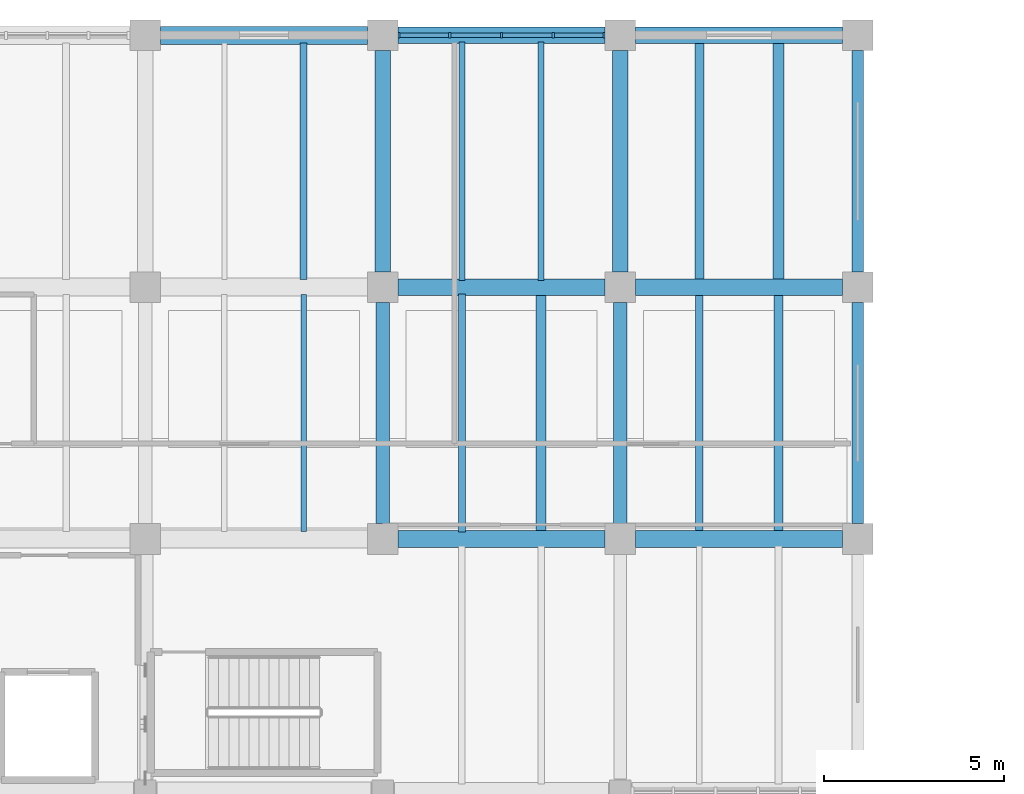
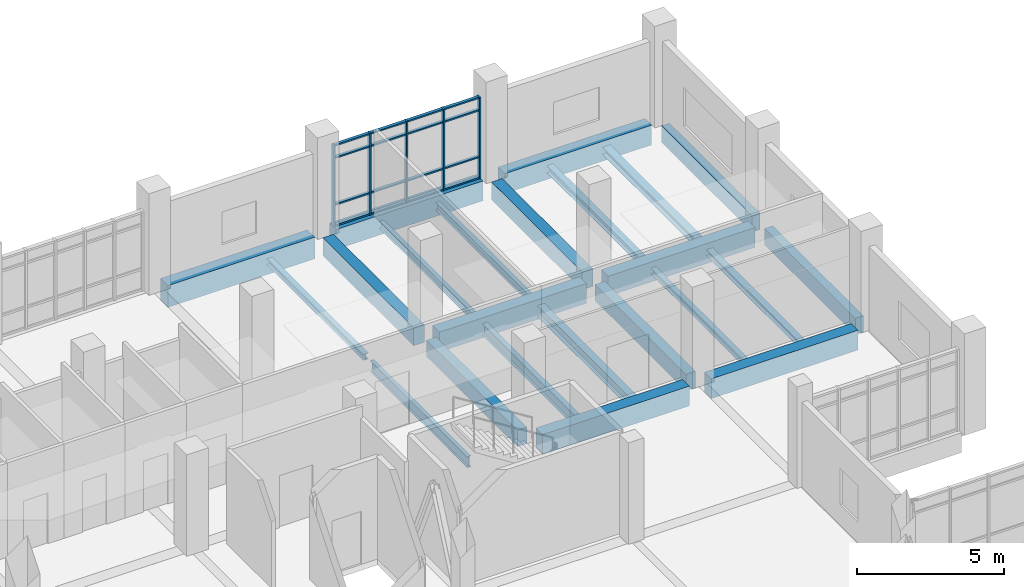
# One storey, part 31 of 68: 23 beams, 21 members, 1 element without a shape of its own.
"""IFC4 building model written with IfcOpenShell, lengths in metres."""

from ifc_helpers import new_model, si_unit, direction, frame, origin, origin_2d, place, context, subcontext, project, spatial, rectangle, i_section, extrude, material, material_profile, profile_set, type_object, element, aggregate, save


model = new_model("IFC4")

# Units and contexts
model_context = context("Model", 3, precision=1e-05, world=origin(), true_north=direction((0.0, 1.0)))
body_context = subcontext(model_context, "Body", "Model", "MODEL_VIEW")
ifc_project = project(units=[si_unit("LENGTHUNIT", "METRE"), si_unit("AREAUNIT", "SQUARE_METRE"), si_unit("VOLUMEUNIT", "CUBIC_METRE"), si_unit("PLANEANGLEUNIT", "RADIAN"), si_unit("MASSUNIT", "GRAM", prefix="KILO")], contexts=[model_context])

# Site, building, storey
site_placement = place(None, origin())
site = spatial("IfcSite", under=ifc_project, at=site_placement, CompositionType="ELEMENT")
building_placement = place(site_placement, origin())
building = spatial("IfcBuilding", under=site, at=building_placement, Name="Ciguamira Faculty of Natural Sciences", CompositionType="ELEMENT")
storey_placement = place(building_placement, frame((0.0, 0.0, 4.199951171875)))
storey = spatial("IfcBuildingStorey", under=building, at=storey_placement, Name="L01", CompositionType="ELEMENT", Elevation=4.199951171875)

# Curtain wall, members
ifc_material_1 = material(Name="Anodized aluminium curtain wall", Category="aluminium")
curtain_wall_type = type_object("IfcCurtainWallType", Name="CurtainWall_CW-01", PredefinedType="USERDEFINED", material=ifc_material_1)
curtain_wall_placement = place(storey_placement, origin())
curtain_wall = element("IfcCurtainWall", 1, at=curtain_wall_placement, inside=storey, type_object=curtain_wall_type, Name="L01 unitised curtain wall 0049", ObjectType="UNITISED CURTAIN WALL", PredefinedType="USERDEFINED")
ifc_material_2 = material(Name="Anodized aluminium mullion", Category="aluminium")
ifc_material_profile_1 = material_profile(ifc_material_2, rectangle(XDim=0.06005859375, YDim=0.159912109375, at=origin_2d()), Name="ALU-MUL-60X160")
ifc_profile_set_1 = profile_set([ifc_material_profile_1], Name="Anodized aluminium mullion")
member_type_1 = type_object("IfcMemberType", Name="CWMullion_CWM-01", PredefinedType="MULLION", material=ifc_profile_set_1)
member_1_placement = place(storey_placement, frame((103.955078125, 115.0, 0.0), z_axis=(0.0, 0.0, 1.0), x_axis=(1.0, 0.0, 0.0)))
member_1 = element("IfcMember", 2, at=member_1_placement, type_object=member_type_1, Name="CW-01 mullion 1", PredefinedType="MULLION", context=body_context, shape_type="SweptSolid", body=[
    extrude(rectangle(XDim=0.06005859375, YDim=0.159912109375, at=origin_2d()), origin(), (0.0, 0.0, 1.0), 3.385009765625),
])
member_2_placement = place(storey_placement, frame((105.362548828125, 115.0, 0.0), z_axis=(0.0, 0.0, 1.0), x_axis=(1.0, 0.0, 0.0)))
member_2 = element("IfcMember", 3, at=member_2_placement, type_object=member_type_1, Name="CW-01 mullion 2", PredefinedType="MULLION", context=body_context, shape_type="SweptSolid", body=[
    extrude(rectangle(XDim=0.06005859375, YDim=0.159912109375, at=origin_2d()), origin(), (0.0, 0.0, 1.0), 3.385009765625),
])
member_3_placement = place(storey_placement, frame((106.800048828125, 115.0, 0.0), z_axis=(0.0, 0.0, 1.0), x_axis=(1.0, 0.0, 0.0)))
member_3 = element("IfcMember", 4, at=member_3_placement, type_object=member_type_1, Name="CW-01 mullion 3", PredefinedType="MULLION", context=body_context, shape_type="SweptSolid", body=[
    extrude(rectangle(XDim=0.06005859375, YDim=0.159912109375, at=origin_2d()), origin(), (0.0, 0.0, 1.0), 3.385009765625),
])
member_4_placement = place(storey_placement, frame((108.237548828125, 115.0, 0.0), z_axis=(0.0, 0.0, 1.0), x_axis=(1.0, 0.0, 0.0)))
member_4 = element("IfcMember", 5, at=member_4_placement, type_object=member_type_1, Name="CW-01 mullion 4", PredefinedType="MULLION", context=body_context, shape_type="SweptSolid", body=[
    extrude(rectangle(XDim=0.06005859375, YDim=0.159912109375, at=origin_2d()), origin(), (0.0, 0.0, 1.0), 3.385009765625),
])
member_5_placement = place(storey_placement, frame((109.64501953125, 115.0, 0.0), z_axis=(0.0, 0.0, 1.0), x_axis=(1.0, 0.0, 0.0)))
member_5 = element("IfcMember", 6, at=member_5_placement, type_object=member_type_1, Name="CW-01 mullion 5", PredefinedType="MULLION", context=body_context, shape_type="SweptSolid", body=[
    extrude(rectangle(XDim=0.06005859375, YDim=0.159912109375, at=origin_2d()), origin(), (0.0, 0.0, 1.0), 3.385009765625),
])
ifc_material_3 = material(Name="Anodized aluminium transom", Category="aluminium")
ifc_material_profile_2 = material_profile(ifc_material_3, rectangle(XDim=0.06005859375, YDim=0.1201171875, at=origin_2d()), Name="ALU-TRN-60X120")
ifc_profile_set_2 = profile_set([ifc_material_profile_2], Name="Anodized aluminium transom")
member_type_2 = type_object("IfcMemberType", Name="CWTransom_CWT-01", PredefinedType="USERDEFINED", material=ifc_profile_set_2)
member_6_placement = place(storey_placement, frame((103.985107421875, 115.0, 0.030029296875), z_axis=(1.0, 0.0, 0.0), x_axis=(0.0, 0.0, 1.0)))
member_6 = element("IfcMember", 7, at=member_6_placement, type_object=member_type_2, Name="CW-01 transom 1.1", ObjectType="TRANSOM", PredefinedType="USERDEFINED", context=body_context, shape_type="SweptSolid", body=[
    extrude(rectangle(XDim=0.06005859375, YDim=0.1201171875, at=origin_2d()), origin(), (0.0, 0.0, 1.0), 1.347412109375),
])
member_7_placement = place(storey_placement, frame((103.985107421875, 115.0, 0.900146484375), z_axis=(1.0, 0.0, 0.0), x_axis=(0.0, 0.0, 1.0)))
member_7 = element("IfcMember", 8, at=member_7_placement, type_object=member_type_2, Name="CW-01 transom 1.2", ObjectType="TRANSOM", PredefinedType="USERDEFINED", context=body_context, shape_type="SweptSolid", body=[
    extrude(rectangle(XDim=0.06005859375, YDim=0.1201171875, at=origin_2d()), origin(), (0.0, 0.0, 1.0), 1.347412109375),
])
member_8_placement = place(storey_placement, frame((103.985107421875, 115.0, 2.8349609375), z_axis=(1.0, 0.0, 0.0), x_axis=(0.0, 0.0, 1.0)))
member_8 = element("IfcMember", 9, at=member_8_placement, type_object=member_type_2, Name="CW-01 transom 1.3", ObjectType="TRANSOM", PredefinedType="USERDEFINED", context=body_context, shape_type="SweptSolid", body=[
    extrude(rectangle(XDim=0.06005859375, YDim=0.1201171875, at=origin_2d()), origin(), (0.0, 0.0, 1.0), 1.347412109375),
])
member_9_placement = place(storey_placement, frame((103.985107421875, 115.0, 3.35498046875), z_axis=(1.0, 0.0, 0.0), x_axis=(0.0, 0.0, 1.0)))
member_9 = element("IfcMember", 10, at=member_9_placement, type_object=member_type_2, Name="CW-01 transom 1.4", ObjectType="TRANSOM", PredefinedType="USERDEFINED", context=body_context, shape_type="SweptSolid", body=[
    extrude(rectangle(XDim=0.06005859375, YDim=0.1201171875, at=origin_2d()), origin(), (0.0, 0.0, 1.0), 1.347412109375),
])
member_10_placement = place(storey_placement, frame((105.392578125, 115.0, 0.030029296875), z_axis=(1.0, 0.0, 0.0), x_axis=(0.0, 0.0, 1.0)))
member_10 = element("IfcMember", 11, at=member_10_placement, type_object=member_type_2, Name="CW-01 transom 2.1", ObjectType="TRANSOM", PredefinedType="USERDEFINED", context=body_context, shape_type="SweptSolid", body=[
    extrude(rectangle(XDim=0.06005859375, YDim=0.1201171875, at=origin_2d()), origin(), (0.0, 0.0, 1.0), 1.37744140625),
])
member_11_placement = place(storey_placement, frame((105.392578125, 115.0, 0.900146484375), z_axis=(1.0, 0.0, 0.0), x_axis=(0.0, 0.0, 1.0)))
member_11 = element("IfcMember", 12, at=member_11_placement, type_object=member_type_2, Name="CW-01 transom 2.2", ObjectType="TRANSOM", PredefinedType="USERDEFINED", context=body_context, shape_type="SweptSolid", body=[
    extrude(rectangle(XDim=0.06005859375, YDim=0.1201171875, at=origin_2d()), origin(), (0.0, 0.0, 1.0), 1.37744140625),
])
member_12_placement = place(storey_placement, frame((105.392578125, 115.0, 2.8349609375), z_axis=(1.0, 0.0, 0.0), x_axis=(0.0, 0.0, 1.0)))
member_12 = element("IfcMember", 13, at=member_12_placement, type_object=member_type_2, Name="CW-01 transom 2.3", ObjectType="TRANSOM", PredefinedType="USERDEFINED", context=body_context, shape_type="SweptSolid", body=[
    extrude(rectangle(XDim=0.06005859375, YDim=0.1201171875, at=origin_2d()), origin(), (0.0, 0.0, 1.0), 1.37744140625),
])
member_13_placement = place(storey_placement, frame((105.392578125, 115.0, 3.35498046875), z_axis=(1.0, 0.0, 0.0), x_axis=(0.0, 0.0, 1.0)))
member_13 = element("IfcMember", 14, at=member_13_placement, type_object=member_type_2, Name="CW-01 transom 2.4", ObjectType="TRANSOM", PredefinedType="USERDEFINED", context=body_context, shape_type="SweptSolid", body=[
    extrude(rectangle(XDim=0.06005859375, YDim=0.1201171875, at=origin_2d()), origin(), (0.0, 0.0, 1.0), 1.37744140625),
])
member_14_placement = place(storey_placement, frame((106.830078125, 115.0, 0.030029296875), z_axis=(1.0, 0.0, 0.0), x_axis=(0.0, 0.0, 1.0)))
member_14 = element("IfcMember", 15, at=member_14_placement, type_object=member_type_2, Name="CW-01 transom 3.1", ObjectType="TRANSOM", PredefinedType="USERDEFINED", context=body_context, shape_type="SweptSolid", body=[
    extrude(rectangle(XDim=0.06005859375, YDim=0.1201171875, at=origin_2d()), origin(), (0.0, 0.0, 1.0), 1.37744140625),
])
member_15_placement = place(storey_placement, frame((106.830078125, 115.0, 0.900146484375), z_axis=(1.0, 0.0, 0.0), x_axis=(0.0, 0.0, 1.0)))
member_15 = element("IfcMember", 16, at=member_15_placement, type_object=member_type_2, Name="CW-01 transom 3.2", ObjectType="TRANSOM", PredefinedType="USERDEFINED", context=body_context, shape_type="SweptSolid", body=[
    extrude(rectangle(XDim=0.06005859375, YDim=0.1201171875, at=origin_2d()), origin(), (0.0, 0.0, 1.0), 1.37744140625),
])
member_16_placement = place(storey_placement, frame((106.830078125, 115.0, 2.8349609375), z_axis=(1.0, 0.0, 0.0), x_axis=(0.0, 0.0, 1.0)))
member_16 = element("IfcMember", 17, at=member_16_placement, type_object=member_type_2, Name="CW-01 transom 3.3", ObjectType="TRANSOM", PredefinedType="USERDEFINED", context=body_context, shape_type="SweptSolid", body=[
    extrude(rectangle(XDim=0.06005859375, YDim=0.1201171875, at=origin_2d()), origin(), (0.0, 0.0, 1.0), 1.37744140625),
])
member_17_placement = place(storey_placement, frame((106.830078125, 115.0, 3.35498046875), z_axis=(1.0, 0.0, 0.0), x_axis=(0.0, 0.0, 1.0)))
member_17 = element("IfcMember", 18, at=member_17_placement, type_object=member_type_2, Name="CW-01 transom 3.4", ObjectType="TRANSOM", PredefinedType="USERDEFINED", context=body_context, shape_type="SweptSolid", body=[
    extrude(rectangle(XDim=0.06005859375, YDim=0.1201171875, at=origin_2d()), origin(), (0.0, 0.0, 1.0), 1.37744140625),
])
member_18_placement = place(storey_placement, frame((108.267578125, 115.0, 0.030029296875), z_axis=(1.0, 0.0, 0.0), x_axis=(0.0, 0.0, 1.0)))
member_18 = element("IfcMember", 19, at=member_18_placement, type_object=member_type_2, Name="CW-01 transom 4.1", ObjectType="TRANSOM", PredefinedType="USERDEFINED", context=body_context, shape_type="SweptSolid", body=[
    extrude(rectangle(XDim=0.06005859375, YDim=0.1201171875, at=origin_2d()), origin(), (0.0, 0.0, 1.0), 1.347412109375),
])
member_19_placement = place(storey_placement, frame((108.267578125, 115.0, 0.900146484375), z_axis=(1.0, 0.0, 0.0), x_axis=(0.0, 0.0, 1.0)))
member_19 = element("IfcMember", 20, at=member_19_placement, type_object=member_type_2, Name="CW-01 transom 4.2", ObjectType="TRANSOM", PredefinedType="USERDEFINED", context=body_context, shape_type="SweptSolid", body=[
    extrude(rectangle(XDim=0.06005859375, YDim=0.1201171875, at=origin_2d()), origin(), (0.0, 0.0, 1.0), 1.347412109375),
])
member_20_placement = place(storey_placement, frame((108.267578125, 115.0, 2.8349609375), z_axis=(1.0, 0.0, 0.0), x_axis=(0.0, 0.0, 1.0)))
member_20 = element("IfcMember", 21, at=member_20_placement, type_object=member_type_2, Name="CW-01 transom 4.3", ObjectType="TRANSOM", PredefinedType="USERDEFINED", context=body_context, shape_type="SweptSolid", body=[
    extrude(rectangle(XDim=0.06005859375, YDim=0.1201171875, at=origin_2d()), origin(), (0.0, 0.0, 1.0), 1.347412109375),
])
member_21_placement = place(storey_placement, frame((108.267578125, 115.0, 3.35498046875), z_axis=(1.0, 0.0, 0.0), x_axis=(0.0, 0.0, 1.0)))
member_21 = element("IfcMember", 22, at=member_21_placement, type_object=member_type_2, Name="CW-01 transom 4.4", ObjectType="TRANSOM", PredefinedType="USERDEFINED", context=body_context, shape_type="SweptSolid", body=[
    extrude(rectangle(XDim=0.06005859375, YDim=0.1201171875, at=origin_2d()), origin(), (0.0, 0.0, 1.0), 1.347412109375),
])
aggregate(curtain_wall, [member_1, member_2, member_3, member_4, member_5, member_6, member_7, member_8, member_9, member_10, member_11, member_12, member_13, member_14, member_15, member_16, member_17, member_18, member_19, member_20, member_21])

# Beams
ifc_material_4 = material(Name="Concrete C40/50", Category="concrete")
ifc_material_profile_3 = material_profile(ifc_material_4, rectangle(XDim=0.5, YDim=0.89990234375, at=origin_2d()), Name="RC-BM-500X900")
ifc_profile_set_3 = profile_set([ifc_material_profile_3], Name="Concrete C40/50")
beam_type_1 = type_object("IfcBeamType", Name="RCBeam_BG-03_RC-BM-500X900", PredefinedType="BEAM", material=ifc_profile_set_3)
beam_1_placement = place(storey_placement, frame((97.324951171875, 115.0, -0.449951171875), z_axis=(1.0, 0.0, 0.0), x_axis=(0.0, 1.0, 0.0)))
element("IfcBeam", 23, at=beam_1_placement, inside=storey, type_object=beam_type_1, Name="L01 RC girder EW-0546", PredefinedType="BEAM", context=body_context, shape_type="SweptSolid", body=[
    extrude(rectangle(XDim=0.5, YDim=0.89990234375, at=origin_2d()), origin(), (0.0, 0.0, 1.0), 5.75),
])
ifc_material_profile_4 = material_profile(ifc_material_4, rectangle(XDim=0.4599609375, YDim=0.820068359375, at=origin_2d()), Name="RC-BM-460X820")
ifc_profile_set_4 = profile_set([ifc_material_profile_4], Name="Concrete C40/50")
beam_type_2 = type_object("IfcBeamType", Name="RCBeam_BG-04_RC-BM-460X820", PredefinedType="BEAM", material=ifc_profile_set_4)
for number, where, z_axis, x_axis, name in (
    (24, (103.925048828125, 101.0, -0.409912109375), (1.0, 0.0, 0.0), (0.0, 1.0, 0.0), "L01 RC girder EW-0529"),
    (25, (110.52490234375, 101.0, -0.409912109375), (1.0, 0.0, 0.0), (0.0, 1.0, 0.0), "L01 RC girder EW-0530"),
    (26, (103.925048828125, 108.0, -0.409912109375), (1.0, 0.0, 0.0), (0.0, 1.0, 0.0), "L01 RC girder EW-0538"),
    (27, (110.52490234375, 108.0, -0.409912109375), (1.0, 0.0, 0.0), (0.0, 1.0, 0.0), "L01 RC girder EW-0539"),
    (28, (103.925048828125, 115.0, -0.409912109375), (1.0, 0.0, 0.0), (0.0, 1.0, 0.0), "L01 RC girder EW-0547"),
    (29, (110.52490234375, 115.0, -0.409912109375), (1.0, 0.0, 0.0), (0.0, 1.0, 0.0), "L01 RC girder EW-0548"),
):
    element("IfcBeam", number, at=place(storey_placement, frame(where, z_axis=z_axis, x_axis=x_axis)), inside=storey, type_object=beam_type_2, Name=name, PredefinedType="BEAM", context=body_context, shape_type="SweptSolid", body=[
        extrude(rectangle(XDim=0.4599609375, YDim=0.820068359375, at=origin_2d()), origin(), (0.0, 0.0, 1.0), 5.75),
    ])
ifc_material_profile_5 = material_profile(ifc_material_4, rectangle(XDim=0.419921875, YDim=0.739990234375, at=origin_2d()), Name="RC-BM-420X740")
ifc_profile_set_5 = profile_set([ifc_material_profile_5], Name="Concrete C40/50")
beam_type_3 = type_object("IfcBeamType", Name="RCBeam_BG-07_RC-BM-420X740", PredefinedType="BEAM", material=ifc_profile_set_5)
for number, where, z_axis, x_axis, name in (
    (30, (103.5, 108.425048828125, -0.369873046875), (0.0, 1.0, 0.0), (-1.0, 0.0, 0.0), "L01 girder NS-0663"),
    (31, (110.10009765625, 108.425048828125, -0.369873046875), (0.0, 1.0, 0.0), (-1.0, 0.0, 0.0), "L01 girder NS-0676"),
):
    element("IfcBeam", number, at=place(storey_placement, frame(where, z_axis=z_axis, x_axis=x_axis)), inside=storey, type_object=beam_type_3, Name=name, PredefinedType="BEAM", context=body_context, shape_type="SweptSolid", body=[
        extrude(rectangle(XDim=0.419921875, YDim=0.739990234375, at=origin_2d()), origin(), (0.0, 0.0, 1.0), 6.14990234375),
    ])
ifc_material_profile_6 = material_profile(ifc_material_4, rectangle(XDim=0.3798828125, YDim=0.679931640625, at=origin_2d()), Name="RC-BM-380X680")
ifc_profile_set_6 = profile_set([ifc_material_profile_6], Name="Concrete C40/50")
beam_type_4 = type_object("IfcBeamType", Name="RCBeam_BG-09_RC-BM-380X680", PredefinedType="BEAM", material=ifc_profile_set_6)
for number, where, z_axis, x_axis, name in (
    (32, (103.5, 101.425048828125, -0.33984375), (0.0, 1.0, 0.0), (-1.0, 0.0, 0.0), "L01 girder NS-0662"),
    (33, (110.10009765625, 101.425048828125, -0.33984375), (0.0, 1.0, 0.0), (-1.0, 0.0, 0.0), "L01 girder NS-0675"),
):
    element("IfcBeam", number, at=place(storey_placement, frame(where, z_axis=z_axis, x_axis=x_axis)), inside=storey, type_object=beam_type_4, Name=name, PredefinedType="BEAM", context=body_context, shape_type="SweptSolid", body=[
        extrude(rectangle(XDim=0.3798828125, YDim=0.679931640625, at=origin_2d()), origin(), (0.0, 0.0, 1.0), 6.14990234375),
    ])
ifc_material_5 = material(Name="Precast concrete C40/50", Category="concrete")
ifc_material_profile_7 = material_profile(ifc_material_5, rectangle(XDim=0.320068359375, YDim=0.679931640625, at=origin_2d()), Name="RC-SP-320X680")
ifc_profile_set_7 = profile_set([ifc_material_profile_7], Name="Precast concrete C40/50")
beam_type_5 = type_object("IfcBeamType", Name="RCBeam_SP-02_RC-SP-320X680", PredefinedType="SPANDREL", material=ifc_profile_set_7)
for number, where, z_axis, x_axis, name in (
    (34, (116.699951171875, 101.425048828125, -0.33984375), (0.0, 1.0, 0.0), (-1.0, 0.0, 0.0), "L01 girder NS-0687"),
    (35, (116.699951171875, 108.425048828125, -0.33984375), (0.0, 1.0, 0.0), (-1.0, 0.0, 0.0), "L01 girder NS-0688"),
):
    element("IfcBeam", number, at=place(storey_placement, frame(where, z_axis=z_axis, x_axis=x_axis)), inside=storey, type_object=beam_type_5, Name=name, PredefinedType="SPANDREL", context=body_context, shape_type="SweptSolid", body=[
        extrude(rectangle(XDim=0.320068359375, YDim=0.679931640625, at=origin_2d()), origin(), (0.0, 0.0, 1.0), 6.14990234375),
    ])
ifc_material_6 = material(Name="Steel ASTM A992 Grade 50", Category="steel")
ifc_material_profile_8 = material_profile(ifc_material_6, i_section(OverallWidth=0.2021484375, OverallDepth=0.2470703125, WebThickness=0.00732421875, FlangeThickness=0.010986328125, at=origin_2d()), Name="W10X33")
ifc_profile_set_8 = profile_set([ifc_material_profile_8], Name="Steel ASTM A992 Grade 50")
beam_type_6 = type_object("IfcBeamType", Name="SteelJoist_SJ-02_W10X33", PredefinedType="JOIST", material=ifc_profile_set_8)
beam_2_placement = place(storey_placement, frame((101.300048828125, 108.2099609375, -0.363525390625), z_axis=(0.0, 1.0, 0.0), x_axis=(-1.0, 0.0, 0.0)))
element("IfcBeam", 36, at=beam_2_placement, inside=storey, type_object=beam_type_6, Name="L01 composite steel joist 00569", PredefinedType="JOIST", context=body_context, shape_type="SweptSolid", body=[
    extrude(i_section(OverallWidth=0.2021484375, OverallDepth=0.2470703125, WebThickness=0.00732421875, FlangeThickness=0.010986328125, at=origin_2d()), origin(), (0.0, 0.0, 1.0), 6.580078125),
])
beam_3_placement = place(storey_placement, frame((112.300048828125, 101.18994140625, -0.363525390625), z_axis=(0.0, 1.0, 0.0), x_axis=(-1.0, 0.0, 0.0)))
element("IfcBeam", 37, at=beam_3_placement, inside=storey, type_object=beam_type_6, Name="L01 composite steel joist 00623", PredefinedType="JOIST", context=body_context, shape_type="SweptSolid", body=[
    extrude(i_section(OverallWidth=0.2021484375, OverallDepth=0.2470703125, WebThickness=0.00732421875, FlangeThickness=0.010986328125, at=origin_2d()), origin(), (0.0, 0.0, 1.0), 6.6201171875),
])
ifc_material_profile_9 = material_profile(ifc_material_6, i_section(OverallWidth=0.25390625, OverallDepth=0.25390625, WebThickness=0.008544921875, FlangeThickness=0.01416015625, at=origin_2d()), Name="W10X49")
ifc_profile_set_9 = profile_set([ifc_material_profile_9], Name="Steel ASTM A992 Grade 50")
beam_type_7 = type_object("IfcBeamType", Name="SteelJoist_SJ-03_W10X49", PredefinedType="JOIST", material=ifc_profile_set_9)
beam_4_placement = place(storey_placement, frame((114.5, 101.18994140625, -0.366943359375), z_axis=(0.0, 1.0, 0.0), x_axis=(-1.0, 0.0, 0.0)))
element("IfcBeam", 38, at=beam_4_placement, inside=storey, type_object=beam_type_7, Name="L01 composite steel joist 00624", PredefinedType="JOIST", context=body_context, shape_type="SweptSolid", body=[
    extrude(i_section(OverallWidth=0.25390625, OverallDepth=0.25390625, WebThickness=0.008544921875, FlangeThickness=0.01416015625, at=origin_2d()), origin(), (0.0, 0.0, 1.0), 6.6201171875),
])
ifc_material_profile_10 = material_profile(ifc_material_6, i_section(OverallWidth=0.164794921875, OverallDepth=0.309814453125, WebThickness=0.005859375, FlangeThickness=0.009765625, at=origin_2d()), Name="W12X26")
ifc_profile_set_10 = profile_set([ifc_material_profile_10], Name="Steel ASTM A992 Grade 50")
beam_type_8 = type_object("IfcBeamType", Name="SteelJoist_SJ-04_W12X26", PredefinedType="JOIST", material=ifc_profile_set_10)
beam_5_placement = place(storey_placement, frame((105.699951171875, 108.18994140625, -0.394775390625), z_axis=(0.0, 1.0, 0.0), x_axis=(-1.0, 0.0, 0.0)))
element("IfcBeam", 39, at=beam_5_placement, inside=storey, type_object=beam_type_8, Name="L01 composite steel joist 00595", PredefinedType="JOIST", context=body_context, shape_type="SweptSolid", body=[
    extrude(i_section(OverallWidth=0.164794921875, OverallDepth=0.309814453125, WebThickness=0.005859375, FlangeThickness=0.009765625, at=origin_2d()), origin(), (0.0, 0.0, 1.0), 6.6201171875),
])
ifc_material_profile_11 = material_profile(ifc_material_6, i_section(OverallWidth=0.16650390625, OverallDepth=0.3173828125, WebThickness=0.007568359375, FlangeThickness=0.01318359375, at=origin_2d()), Name="W12X35")
ifc_profile_set_11 = profile_set([ifc_material_profile_11], Name="Steel ASTM A992 Grade 50")
beam_type_9 = type_object("IfcBeamType", Name="SteelJoist_SJ-05_W12X35", PredefinedType="JOIST", material=ifc_profile_set_11)
beam_6_placement = place(storey_placement, frame((107.89990234375, 108.18994140625, -0.398681640625), z_axis=(0.0, 1.0, 0.0), x_axis=(-1.0, 0.0, 0.0)))
element("IfcBeam", 40, at=beam_6_placement, inside=storey, type_object=beam_type_9, Name="L01 composite steel joist 00596", PredefinedType="JOIST", context=body_context, shape_type="SweptSolid", body=[
    extrude(i_section(OverallWidth=0.16650390625, OverallDepth=0.3173828125, WebThickness=0.007568359375, FlangeThickness=0.01318359375, at=origin_2d()), origin(), (0.0, 0.0, 1.0), 6.6201171875),
])
ifc_material_profile_12 = material_profile(ifc_material_6, i_section(OverallWidth=0.25390625, OverallDepth=0.307373046875, WebThickness=0.0087890625, FlangeThickness=0.0146484375, at=origin_2d()), Name="W12X53")
ifc_profile_set_12 = profile_set([ifc_material_profile_12], Name="Steel ASTM A992 Grade 50")
beam_type_10 = type_object("IfcBeamType", Name="SteelJoist_SJ-07_W12X53", PredefinedType="JOIST", material=ifc_profile_set_12)
beam_7_placement = place(storey_placement, frame((112.300048828125, 108.18994140625, -0.3935546875), z_axis=(0.0, 1.0, 0.0), x_axis=(-1.0, 0.0, 0.0)))
element("IfcBeam", 41, at=beam_7_placement, inside=storey, type_object=beam_type_10, Name="L01 composite steel joist 00625", PredefinedType="JOIST", context=body_context, shape_type="SweptSolid", body=[
    extrude(i_section(OverallWidth=0.25390625, OverallDepth=0.307373046875, WebThickness=0.0087890625, FlangeThickness=0.0146484375, at=origin_2d()), origin(), (0.0, 0.0, 1.0), 6.6201171875),
])
ifc_material_profile_13 = material_profile(ifc_material_6, i_section(OverallWidth=0.3046875, OverallDepth=0.307373046875, WebThickness=0.010009765625, FlangeThickness=0.015380859375, at=origin_2d()), Name="W12X65")
ifc_profile_set_13 = profile_set([ifc_material_profile_13], Name="Steel ASTM A992 Grade 50")
beam_type_11 = type_object("IfcBeamType", Name="SteelJoist_SJ-08_W12X65", PredefinedType="JOIST", material=ifc_profile_set_13)
beam_8_placement = place(storey_placement, frame((114.5, 108.18994140625, -0.3935546875), z_axis=(0.0, 1.0, 0.0), x_axis=(-1.0, 0.0, 0.0)))
element("IfcBeam", 42, at=beam_8_placement, inside=storey, type_object=beam_type_11, Name="L01 composite steel joist 00626", PredefinedType="JOIST", context=body_context, shape_type="SweptSolid", body=[
    extrude(i_section(OverallWidth=0.3046875, OverallDepth=0.307373046875, WebThickness=0.010009765625, FlangeThickness=0.015380859375, at=origin_2d()), origin(), (0.0, 0.0, 1.0), 6.6201171875),
])
ifc_material_profile_14 = material_profile(ifc_material_6, i_section(OverallWidth=0.15283203125, OverallDepth=0.45458984375, WebThickness=0.008056640625, FlangeThickness=0.013427734375, at=origin_2d()), Name="W18X40")
ifc_profile_set_14 = profile_set([ifc_material_profile_14], Name="Steel ASTM A992 Grade 50")
beam_type_12 = type_object("IfcBeamType", Name="SteelJoist_SJ-22_W18X40", PredefinedType="JOIST", material=ifc_profile_set_14)
beam_9_placement = place(storey_placement, frame((101.300048828125, 101.2099609375, -0.46728515625), z_axis=(0.0, 1.0, 0.0), x_axis=(-1.0, 0.0, 0.0)))
element("IfcBeam", 43, at=beam_9_placement, inside=storey, type_object=beam_type_12, Name="L01 composite steel joist 00567", PredefinedType="JOIST", context=body_context, shape_type="SweptSolid", body=[
    extrude(i_section(OverallWidth=0.15283203125, OverallDepth=0.45458984375, WebThickness=0.008056640625, FlangeThickness=0.013427734375, at=origin_2d()), origin(), (0.0, 0.0, 1.0), 6.580078125),
])
ifc_material_profile_15 = material_profile(ifc_material_6, i_section(OverallWidth=0.19287109375, OverallDepth=0.46728515625, WebThickness=0.011474609375, FlangeThickness=0.01904296875, at=origin_2d()), Name="W18X65")
ifc_profile_set_15 = profile_set([ifc_material_profile_15], Name="Steel ASTM A992 Grade 50")
beam_type_13 = type_object("IfcBeamType", Name="SteelJoist_SJ-24_W18X65", PredefinedType="JOIST", material=ifc_profile_set_15)
beam_10_placement = place(storey_placement, frame((105.699951171875, 101.18994140625, -0.4736328125), z_axis=(0.0, 1.0, 0.0), x_axis=(-1.0, 0.0, 0.0)))
element("IfcBeam", 44, at=beam_10_placement, inside=storey, type_object=beam_type_13, Name="L01 composite steel joist 00593", PredefinedType="JOIST", context=body_context, shape_type="SweptSolid", body=[
    extrude(i_section(OverallWidth=0.19287109375, OverallDepth=0.46728515625, WebThickness=0.011474609375, FlangeThickness=0.01904296875, at=origin_2d()), origin(), (0.0, 0.0, 1.0), 6.6201171875),
])
ifc_material_profile_16 = material_profile(ifc_material_6, i_section(OverallWidth=0.279296875, OverallDepth=0.462158203125, WebThickness=0.0107421875, FlangeThickness=0.017333984375, at=origin_2d()), Name="W18X76")
ifc_profile_set_16 = profile_set([ifc_material_profile_16], Name="Steel ASTM A992 Grade 50")
beam_type_14 = type_object("IfcBeamType", Name="SteelJoist_SJ-25_W18X76", PredefinedType="JOIST", material=ifc_profile_set_16)
beam_11_placement = place(storey_placement, frame((107.89990234375, 101.18994140625, -0.470947265625), z_axis=(0.0, 1.0, 0.0), x_axis=(-1.0, 0.0, 0.0)))
element("IfcBeam", 45, at=beam_11_placement, inside=storey, type_object=beam_type_14, Name="L01 composite steel joist 00594", PredefinedType="JOIST", context=body_context, shape_type="SweptSolid", body=[
    extrude(i_section(OverallWidth=0.279296875, OverallDepth=0.462158203125, WebThickness=0.0107421875, FlangeThickness=0.017333984375, at=origin_2d()), origin(), (0.0, 0.0, 1.0), 6.6201171875),
])

save(model, "model.ifc")
